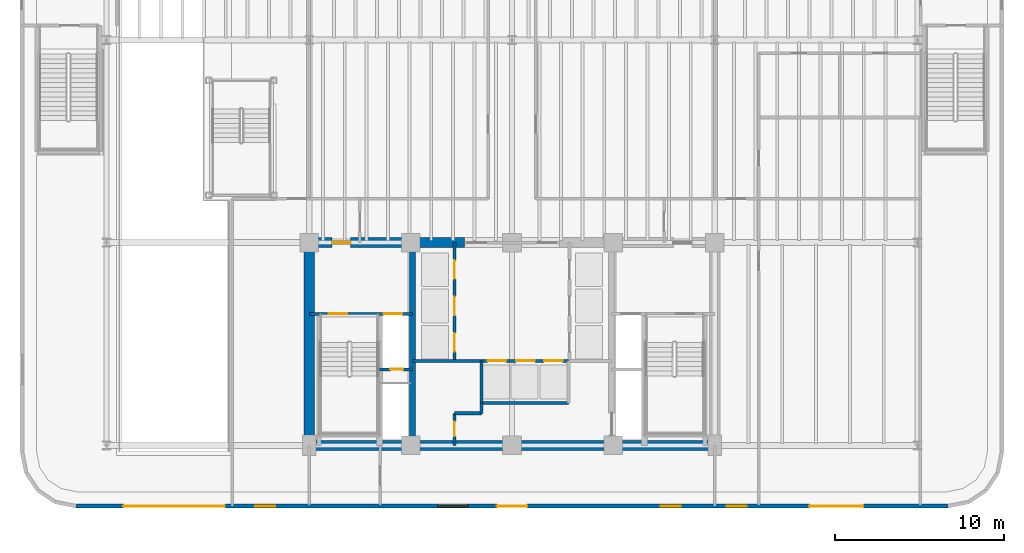
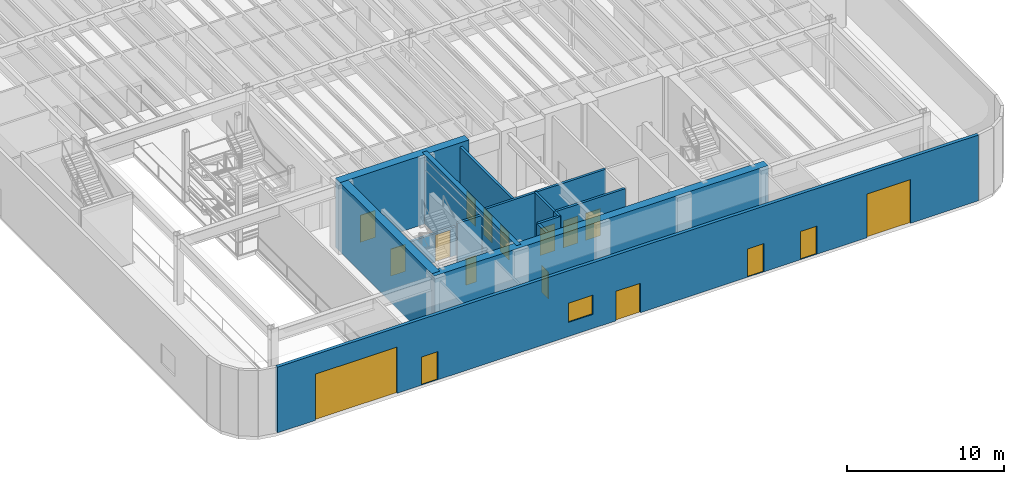
# One storey, part 7 of 17: 17 doors, 15 walls, 1 window, 18 openings.
"""IFC4 building model written with IfcOpenShell, lengths in metres."""

from ifc_helpers import new_model, si_unit, direction, frame, frame_2d, origin, origin_2d, place, context, subcontext, project, spatial, rectangle, extrude, source, transform, mapped, material, layer, layer_set, type_object, element, fill, save


model = new_model("IFC4")

# Units and contexts
model_context = context("Model", 3, precision=1e-05, world=origin(), true_north=direction((0.0, 1.0)))
body_context = subcontext(model_context, "Body", "Model", "MODEL_VIEW")
ifc_project = project(units=[si_unit("LENGTHUNIT", "METRE"), si_unit("AREAUNIT", "SQUARE_METRE"), si_unit("VOLUMEUNIT", "CUBIC_METRE"), si_unit("PLANEANGLEUNIT", "RADIAN"), si_unit("MASSUNIT", "GRAM", prefix="KILO")], contexts=[model_context])

# Site, building, storey
site_placement = place(None, origin())
site = spatial("IfcSite", under=ifc_project, at=site_placement, CompositionType="ELEMENT")
building_placement = place(site_placement, origin())
building = spatial("IfcBuilding", under=site, at=building_placement, Name="Brelvock Crest Care Tower", CompositionType="ELEMENT")
storey_placement = place(building_placement, origin())
storey = spatial("IfcBuildingStorey", under=building, at=storey_placement, Name="L00", CompositionType="ELEMENT", Elevation=0.0)

# Walls
ifc_material_1 = material(Name="Concrete S80 (80 MPa)", Category="concrete")
ifc_layer_1 = layer(ifc_material_1, 0.60009765625, Name="WL-CS1")
ifc_layer_set_1 = layer_set([ifc_layer_1], Name="Concrete S80 (80 MPa)")
wall_type_1 = type_object("IfcWallType", Name="WL-CS1", PredefinedType="SHEAR", material=ifc_layer_set_1)
wall_1_placement = place(storey_placement, frame((48.300048828125, 6.0, 0.0), z_axis=(0.0, 0.0, 1.0), x_axis=(-1.0, 0.0, 0.0)))
element("IfcWall", 1, at=wall_1_placement, inside=storey, type_object=wall_type_1, Name="L00 Core South Shear Wall", PredefinedType="SHEAR", context=body_context, shape_type="SweptSolid", body=[
    extrude(rectangle(XDim=24.60009765625, YDim=0.60009765625, at=frame_2d((12.300048828125, 0.0))), origin(), (0.0, 0.0, 1.0), 5.39990234375),
])
wall_2_placement = place(storey_placement, frame((24.0, 6.0, 0.0), z_axis=(0.0, 0.0, 1.0), x_axis=(0.0, 1.0, 0.0)))
element("IfcWall", 2, at=wall_2_placement, inside=storey, type_object=wall_type_1, Name="L00 Core West Shear Wall", PredefinedType="SHEAR", context=body_context, shape_type="SweptSolid", body=[
    extrude(rectangle(XDim=12.0, YDim=0.60009765625, at=frame_2d((6.0, 0.0))), origin(), (0.0, 0.0, 1.0), 5.39990234375),
])

# Wall, opening, door
wall_3_placement = place(storey_placement, frame((23.699951171875, 18.0, 0.0), z_axis=(0.0, 0.0, 1.0), x_axis=(1.0, 0.0, 0.0)))
wall_3 = element("IfcWall", 3, at=wall_3_placement, inside=storey, type_object=wall_type_1, Name="L00 Core North-West Shear Wall", PredefinedType="SHEAR", context=body_context, shape_type="SweptSolid", body=[
    extrude(rectangle(XDim=9.5, YDim=0.60009765625, at=frame_2d((4.75, 0.0))), origin(), (0.0, 0.0, 1.0), 5.39990234375),
])
opening_1_placement = place(wall_3_placement, frame((1.64990234375, 0.0, 0.0)))
opening_1 = element("IfcOpeningElement", 4, at=opening_1_placement, cuts=wall_3, Name="Opening FD-1", PredefinedType="OPENING", context=body_context, shape_type="SweptSolid", body=[
    extrude(rectangle(XDim=1.10009765625, YDim=2.10009765625, at=origin_2d()), frame((0.550048828125, 0.31005859375, 1.050048828125), z_axis=(0.0, -1.0, 0.0), x_axis=(1.0, 0.0, 0.0)), (0.0, 0.0, 1.0), 0.6201171875),
])
ifc_material_2 = material(Name="Steel Grade 350", Category="steel")
door_type_1 = type_object("IfcDoorType", Name="DR-FFL1", OperationType="NOTDEFINED", PredefinedType="DOOR", material=ifc_material_2)
shared_shape_1 = source(origin(), body_context, "Body", "SweptSolid", [
    extrude(rectangle(XDim=1.10009765625, YDim=2.10009765625, at=origin_2d()), frame((0.550048828125, 0.02490234375, 1.050048828125), z_axis=(0.0, -1.0, 0.0), x_axis=(1.0, 0.0, 0.0)), (0.0, 0.0, 1.0), 0.050048828125),
])
door_1_placement = place(opening_1_placement, origin())
door_1 = element("IfcDoor", 5, at=door_1_placement, inside=storey, type_object=door_type_1, Name="L00 Firefighting Lobby FFL-1 Exit Door", OperationType="SINGLE_SWING_LEFT", OverallHeight=2.10009765625, OverallWidth=1.10009765625, PredefinedType="DOOR", context=body_context, shape_type="MappedRepresentation", body=[
    mapped(shared_shape_1, transform((0.0, 0.0, 0.0), x_axis=(1.0, 0.0, 0.0), y_axis=(0.0, 1.0, 0.0), z_axis=(0.0, 0.0, 1.0), scale=1.0)),
])
fill(opening_1, door_1)

# Wall
ifc_layer_2 = layer(ifc_material_1, 0.35009765625, Name="WL-CS5")
ifc_layer_set_2 = layer_set([ifc_layer_2], Name="Concrete S80 (80 MPa)")
wall_type_2 = type_object("IfcWallType", Name="WL-CS5", PredefinedType="SHEAR", material=ifc_layer_set_2)
wall_4_placement = place(storey_placement, frame((30.10009765625, 6.0, 0.0), z_axis=(0.0, 0.0, 1.0), x_axis=(0.0, 1.0, 0.0)))
element("IfcWall", 6, at=wall_4_placement, inside=storey, type_object=wall_type_2, Name="L00 Core Internal Web Wall West", PredefinedType="SHEAR", context=body_context, shape_type="SweptSolid", body=[
    extrude(rectangle(XDim=12.0, YDim=0.35009765625, at=frame_2d((6.0, 0.0))), origin(), (0.0, 0.0, 1.0), 5.39990234375),
])

# Wall, openings, doors, window
ifc_material_3 = material(Name="Precast concrete N40 (40 MPa)", Category="concrete")
ifc_layer_3 = layer(ifc_material_3, 0.239990234375, Name="WL-EX1")
ifc_layer_set_3 = layer_set([ifc_layer_3], Name="Precast concrete N40 (40 MPa)")
wall_type_3 = type_object("IfcWallType", Name="WL-EX1", PredefinedType="SOLIDWALL", material=ifc_layer_set_3)
wall_5_placement = place(storey_placement, frame((61.800048828125, 2.39990234375, 0.0), z_axis=(0.0, 0.0, 1.0), x_axis=(-1.0, 0.0, 0.0)))
wall_5 = element("IfcWall", 7, at=wall_5_placement, inside=storey, type_object=wall_type_3, Name="L00 Exterior Spandrel Wall WL-EX-L00-SOUTH", PredefinedType="SOLIDWALL", context=body_context, shape_type="SweptSolid", body=[
    extrude(rectangle(XDim=51.60009765625, YDim=0.239990234375, at=frame_2d((25.800048828125, 0.0))), origin(), (0.0, 0.0, 1.0), 5.1201171875),
])
opening_2_placement = place(wall_5_placement, frame((5.0, 0.0, 0.0)))
opening_2 = element("IfcOpeningElement", 8, at=opening_2_placement, cuts=wall_5, Name="Opening GD-1", PredefinedType="OPENING", context=body_context, shape_type="SweptSolid", body=[
    extrude(rectangle(XDim=3.199951171875, YDim=3.39990234375, at=origin_2d()), frame((1.60009765625, 0.1298828125, 1.699951171875), z_axis=(0.0, -1.0, 0.0), x_axis=(1.0, 0.0, 0.0)), (0.0, 0.0, 1.0), 0.260009765625),
])
opening_3_placement = place(wall_5_placement, frame((11.89990234375, 0.0, 0.0)))
opening_3 = element("IfcOpeningElement", 9, at=opening_3_placement, cuts=wall_5, Name="Opening ED-2", PredefinedType="OPENING", context=body_context, shape_type="SweptSolid", body=[
    extrude(rectangle(XDim=1.199951171875, YDim=2.199951171875, at=origin_2d()), frame((0.60009765625, 0.1298828125, 1.10009765625), z_axis=(0.0, -1.0, 0.0), x_axis=(1.0, 0.0, 0.0)), (0.0, 0.0, 1.0), 0.260009765625),
])
opening_4_placement = place(wall_5_placement, frame((15.800048828125, 0.0, 0.0)))
opening_4 = element("IfcOpeningElement", 10, at=opening_4_placement, cuts=wall_5, Name="Opening ED-2", PredefinedType="OPENING", context=body_context, shape_type="SweptSolid", body=[
    extrude(rectangle(XDim=1.199951171875, YDim=2.199951171875, at=origin_2d()), frame((0.60009765625, 0.1298828125, 1.10009765625), z_axis=(0.0, -1.0, 0.0), x_axis=(1.0, 0.0, 0.0)), (0.0, 0.0, 1.0), 0.260009765625),
])
opening_5_placement = place(wall_5_placement, frame((24.89990234375, 0.0, 0.0)))
opening_5 = element("IfcOpeningElement", 11, at=opening_5_placement, cuts=wall_5, Name="Opening ED-1", PredefinedType="OPENING", context=body_context, shape_type="SweptSolid", body=[
    extrude(rectangle(XDim=1.800048828125, YDim=2.300048828125, at=origin_2d()), frame((0.89990234375, 0.1298828125, 1.14990234375), z_axis=(0.0, -1.0, 0.0), x_axis=(1.0, 0.0, 0.0)), (0.0, 0.0, 1.0), 0.260009765625),
])
opening_6_placement = place(wall_5_placement, frame((39.800048828125, 0.0, 0.0)))
opening_6 = element("IfcOpeningElement", 12, at=opening_6_placement, cuts=wall_5, Name="Opening ED-2", PredefinedType="OPENING", context=body_context, shape_type="SweptSolid", body=[
    extrude(rectangle(XDim=1.199951171875, YDim=2.199951171875, at=origin_2d()), frame((0.60009765625, 0.1298828125, 1.10009765625), z_axis=(0.0, -1.0, 0.0), x_axis=(1.0, 0.0, 0.0)), (0.0, 0.0, 1.0), 0.260009765625),
])
opening_7_placement = place(wall_5_placement, frame((42.800048828125, 0.0, 0.0)))
opening_7 = element("IfcOpeningElement", 13, at=opening_7_placement, cuts=wall_5, Name="Opening VD1", PredefinedType="OPENING", context=body_context, shape_type="SweptSolid", body=[
    extrude(rectangle(XDim=6.0, YDim=3.60009765625, at=origin_2d()), frame((3.0, 0.1298828125, 1.800048828125), z_axis=(0.0, -1.0, 0.0), x_axis=(1.0, 0.0, 0.0)), (0.0, 0.0, 1.0), 0.260009765625),
])
opening_8_placement = place(wall_5_placement, frame((28.39990234375, 0.0, 1.10009765625)))
opening_8 = element("IfcOpeningElement", 14, at=opening_8_placement, cuts=wall_5, Name="Opening W-02", PredefinedType="OPENING", context=body_context, shape_type="SweptSolid", body=[
    extrude(rectangle(XDim=1.800048828125, YDim=1.5, at=origin_2d()), frame((0.89990234375, 0.1298828125, 0.75), z_axis=(0.0, -1.0, 0.0), x_axis=(1.0, 0.0, 0.0)), (0.0, 0.0, 1.0), 0.260009765625),
])
ifc_material_4 = material(Name="Aluminium 6063-T6", Category="aluminium")
door_type_2 = type_object("IfcDoorType", Name="DR-EX2", OperationType="NOTDEFINED", PredefinedType="DOOR", material=ifc_material_4)
shared_shape_2 = source(origin(), body_context, "Body", "SweptSolid", [
    extrude(rectangle(XDim=1.199951171875, YDim=2.199951171875, at=origin_2d()), frame((0.60009765625, 0.02490234375, 1.10009765625), z_axis=(0.0, -1.0, 0.0), x_axis=(1.0, 0.0, 0.0)), (0.0, 0.0, 1.0), 0.050048828125),
])
door_2_placement = place(opening_3_placement, origin())
door_2 = element("IfcDoor", 15, at=door_2_placement, inside=storey, type_object=door_type_2, Name="L00 East Concourse Street Final Exit E3B", OperationType="SINGLE_SWING_LEFT", OverallHeight=2.199951171875, OverallWidth=1.199951171875, PredefinedType="DOOR", context=body_context, shape_type="MappedRepresentation", body=[
    mapped(shared_shape_2, transform((0.0, 0.0, 0.0), x_axis=(1.0, 0.0, 0.0), y_axis=(0.0, 1.0, 0.0), z_axis=(0.0, 0.0, 1.0), scale=1.0)),
])
fill(opening_3, door_2)
door_3_placement = place(opening_4_placement, origin())
door_3 = element("IfcDoor", 16, at=door_3_placement, inside=storey, type_object=door_type_2, Name="L00 Stair ST-2 Street Final Exit E2", OperationType="SINGLE_SWING_RIGHT", OverallHeight=2.199951171875, OverallWidth=1.199951171875, PredefinedType="DOOR", context=body_context, shape_type="MappedRepresentation", body=[
    mapped(shared_shape_2, transform((0.0, 0.0, 0.0), x_axis=(1.0, 0.0, 0.0), y_axis=(0.0, 1.0, 0.0), z_axis=(0.0, 0.0, 1.0), scale=1.0)),
])
fill(opening_4, door_3)
door_4_placement = place(opening_6_placement, origin())
door_4 = element("IfcDoor", 17, at=door_4_placement, inside=storey, type_object=door_type_2, Name="L00 Stair ST-1 Street Final Exit E1", OperationType="SINGLE_SWING_LEFT", OverallHeight=2.199951171875, OverallWidth=1.199951171875, PredefinedType="DOOR", context=body_context, shape_type="MappedRepresentation", body=[
    mapped(shared_shape_2, transform((0.0, 0.0, 0.0), x_axis=(1.0, 0.0, 0.0), y_axis=(0.0, 1.0, 0.0), z_axis=(0.0, 0.0, 1.0), scale=1.0)),
])
fill(opening_6, door_4)
ifc_material_5 = material(Name="Dark Glass Double Glazed Low-E", Category="glass")
window_type = type_object("IfcWindowType", Name="WN-EX2", PartitioningType="SINGLE_PANEL", PredefinedType="WINDOW", material=ifc_material_5)
shared_shape_3 = source(origin(), body_context, "Body", "SweptSolid", [
    extrude(rectangle(XDim=1.800048828125, YDim=1.5, at=origin_2d()), frame((0.89990234375, 0.030029296875, 0.75), z_axis=(0.0, -1.0, 0.0), x_axis=(1.0, 0.0, 0.0)), (0.0, 0.0, 1.0), 0.06005859375),
])
window_placement = place(opening_8_placement, origin())
window = element("IfcWindow", 18, at=window_placement, inside=storey, type_object=window_type, Name="WN-L00-S1", OverallHeight=1.5, OverallWidth=1.800048828125, PartitioningType="SINGLE_PANEL", PredefinedType="WINDOW", context=body_context, shape_type="MappedRepresentation", body=[
    mapped(shared_shape_3, transform((0.0, 0.0, 0.0), x_axis=(1.0, 0.0, 0.0), y_axis=(0.0, 1.0, 0.0), z_axis=(0.0, 0.0, 1.0), scale=1.0)),
])
fill(opening_8, window)
door_type_3 = type_object("IfcDoorType", Name="DR-EX1", OperationType="NOTDEFINED", PredefinedType="DOOR", material=ifc_material_5)
shared_shape_4 = source(origin(), body_context, "Body", "SweptSolid", [
    extrude(rectangle(XDim=1.800048828125, YDim=2.300048828125, at=origin_2d()), frame((0.89990234375, 0.02490234375, 1.14990234375), z_axis=(0.0, -1.0, 0.0), x_axis=(1.0, 0.0, 0.0)), (0.0, 0.0, 1.0), 0.050048828125),
])
door_5_placement = place(opening_5_placement, origin())
door_5 = element("IfcDoor", 19, at=door_5_placement, inside=storey, type_object=door_type_3, Name="L00 Main Lobby Street Entrance E3", OperationType="SINGLE_SWING_LEFT", OverallHeight=2.300048828125, OverallWidth=1.800048828125, PredefinedType="DOOR", context=body_context, shape_type="MappedRepresentation", body=[
    mapped(shared_shape_4, transform((0.0, 0.0, 0.0), x_axis=(1.0, 0.0, 0.0), y_axis=(0.0, 1.0, 0.0), z_axis=(0.0, 0.0, 1.0), scale=1.0)),
])
fill(opening_5, door_5)
door_type_4 = type_object("IfcDoorType", Name="DR-LDK1", OperationType="NOTDEFINED", PredefinedType="GATE", material=ifc_material_4)
shared_shape_5 = source(origin(), body_context, "Body", "SweptSolid", [
    extrude(rectangle(XDim=3.199951171875, YDim=3.39990234375, at=origin_2d()), frame((1.60009765625, 0.02490234375, 1.699951171875), z_axis=(0.0, -1.0, 0.0), x_axis=(1.0, 0.0, 0.0)), (0.0, 0.0, 1.0), 0.050048828125),
])
door_6_placement = place(opening_2_placement, origin())
door_6 = element("IfcDoor", 20, at=door_6_placement, inside=storey, type_object=door_type_4, Name="L00 Loading Dock Roller Gate GD-1", OperationType="ROLLINGUP", OverallHeight=3.39990234375, OverallWidth=3.199951171875, PredefinedType="GATE", context=body_context, shape_type="MappedRepresentation", body=[
    mapped(shared_shape_5, transform((0.0, 0.0, 0.0), x_axis=(1.0, 0.0, 0.0), y_axis=(0.0, 1.0, 0.0), z_axis=(0.0, 0.0, 1.0), scale=1.0)),
])
fill(opening_2, door_6)
door_type_5 = type_object("IfcDoorType", Name="DR-VD1", OperationType="NOTDEFINED", PredefinedType="GATE", material=ifc_material_4)
shared_shape_6 = source(origin(), body_context, "Body", "SweptSolid", [
    extrude(rectangle(XDim=6.0, YDim=3.60009765625, at=origin_2d()), frame((3.0, 0.02490234375, 1.800048828125), z_axis=(0.0, -1.0, 0.0), x_axis=(1.0, 0.0, 0.0)), (0.0, 0.0, 1.0), 0.050048828125),
])
door_7_placement = place(opening_7_placement, origin())
door_7 = element("IfcDoor", 21, at=door_7_placement, inside=storey, type_object=door_type_5, Name="L00 Car Park Roller Shutter Gate VD1", OperationType="ROLLINGUP", OverallHeight=3.60009765625, OverallWidth=6.0, PredefinedType="GATE", context=body_context, shape_type="MappedRepresentation", body=[
    mapped(shared_shape_6, transform((0.0, 0.0, 0.0), x_axis=(1.0, 0.0, 0.0), y_axis=(0.0, 1.0, 0.0), z_axis=(0.0, 0.0, 1.0), scale=1.0)),
])
fill(opening_7, door_7)

# Walls
ifc_material_6 = material(Name="Masonry Blockwork Acoustic Partition", Category="masonry")
ifc_layer_4 = layer(ifc_material_6, 0.179931640625, Name="WL-SHF1")
ifc_layer_set_4 = layer_set([ifc_layer_4], Name="Masonry Blockwork Acoustic Partition")
wall_type_4 = type_object("IfcWallType", Name="WL-SHF1", PredefinedType="PARTITIONING", material=ifc_layer_set_4)
wall_6_placement = place(storey_placement, frame((34.199951171875, 8.5, 0.0), z_axis=(0.0, 0.0, 1.0), x_axis=(1.0, 0.0, 0.0)))
element("IfcWall", 22, at=wall_6_placement, inside=storey, type_object=wall_type_4, Name="L00 Interior Wall WL-PLM-S-L00", PredefinedType="PARTITIONING", context=body_context, shape_type="SweptSolid", body=[
    extrude(rectangle(XDim=5.150146484375, YDim=0.179931640625, at=frame_2d((2.5751953125, 0.0))), origin(), (0.0, 0.0, 1.0), 5.090087890625),
])
wall_7_placement = place(storey_placement, frame((34.199951171875, 8.5, 0.0), z_axis=(0.0, 0.0, 1.0), x_axis=(0.0, 1.0, 0.0)))
element("IfcWall", 23, at=wall_7_placement, inside=storey, type_object=wall_type_4, Name="L00 Interior Wall WL-PLM-W-L00", PredefinedType="PARTITIONING", context=body_context, shape_type="SweptSolid", body=[
    extrude(rectangle(XDim=2.5, YDim=0.179931640625, at=frame_2d((1.25, 0.0))), origin(), (0.0, 0.0, 1.0), 5.090087890625),
])
wall_8_placement = place(storey_placement, frame((30.10009765625, 10.97998046875, 0.0), z_axis=(0.0, 0.0, 1.0), x_axis=(1.0, 0.0, 0.0)))
element("IfcWall", 24, at=wall_8_placement, inside=storey, type_object=wall_type_4, Name="L00 Interior Wall WL-CSBW-N-L00", PredefinedType="PARTITIONING", context=body_context, shape_type="SweptSolid", body=[
    extrude(rectangle(XDim=4.079833984375, YDim=0.179931640625, at=frame_2d((2.0400390625, 0.0))), origin(), (0.0, 0.0, 1.0), 5.090087890625),
])
wall_9_placement = place(storey_placement, frame((34.199951171875, 7.89990234375, 0.0), z_axis=(0.0, 0.0, 1.0), x_axis=(0.0, 1.0, 0.0)))
element("IfcWall", 25, at=wall_9_placement, inside=storey, type_object=wall_type_4, Name="L00 Interior Wall WL-CSBW-E2-L00", PredefinedType="PARTITIONING", context=body_context, shape_type="SweptSolid", body=[
    extrude(rectangle(XDim=0.60009765625, YDim=0.179931640625, at=frame_2d((0.300048828125, 0.0))), origin(), (0.0, 0.0, 1.0), 5.090087890625),
])
wall_10_placement = place(storey_placement, frame((32.60009765625, 7.89990234375, 0.0), z_axis=(0.0, 0.0, 1.0), x_axis=(1.0, 0.0, 0.0)))
element("IfcWall", 26, at=wall_10_placement, inside=storey, type_object=wall_type_4, Name="L00 Interior Wall WL-CSBW-S2-L00", PredefinedType="PARTITIONING", context=body_context, shape_type="SweptSolid", body=[
    extrude(rectangle(XDim=1.599853515625, YDim=0.179931640625, at=frame_2d((0.7998046875, 0.0))), origin(), (0.0, 0.0, 1.0), 5.090087890625),
])

# Wall, opening, door
wall_11_placement = place(storey_placement, frame((32.60009765625, 6.0, 0.0), z_axis=(0.0, 0.0, 1.0), x_axis=(0.0, 1.0, 0.0)))
wall_11 = element("IfcWall", 27, at=wall_11_placement, inside=storey, type_object=wall_type_4, Name="L00 Interior Wall WL-CSBW-E1-L00", PredefinedType="PARTITIONING", context=body_context, shape_type="SweptSolid", body=[
    extrude(rectangle(XDim=1.89990234375, YDim=0.179931640625, at=frame_2d((0.949951171875, 0.0))), origin(), (0.0, 0.0, 1.0), 5.090087890625),
])
opening_9_placement = place(wall_11_placement, frame((0.550048828125, 0.0, 0.0)))
opening_9 = element("IfcOpeningElement", 28, at=opening_9_placement, cuts=wall_11, Name="Opening ID-1", PredefinedType="OPENING", context=body_context, shape_type="SweptSolid", body=[
    extrude(rectangle(XDim=0.860107421875, YDim=2.10009765625, at=origin_2d()), frame((0.43017578125, 0.10009765625, 1.050048828125), z_axis=(0.0, -1.0, 0.0), x_axis=(1.0, 0.0, 0.0)), (0.0, 0.0, 1.0), 0.199951171875),
])
ifc_material_7 = material(Name="Engineered Hardwood Timber", Category="wood")
door_type_6 = type_object("IfcDoorType", Name="DR-INT1", OperationType="NOTDEFINED", PredefinedType="DOOR", material=ifc_material_7)
shared_shape_7 = source(origin(), body_context, "Body", "SweptSolid", [
    extrude(rectangle(XDim=0.860107421875, YDim=2.10009765625, at=origin_2d()), frame((0.43017578125, 0.02490234375, 1.050048828125), z_axis=(0.0, -1.0, 0.0), x_axis=(1.0, 0.0, 0.0)), (0.0, 0.0, 1.0), 0.050048828125),
])
door_8_placement = place(opening_9_placement, origin())
door_8 = element("IfcDoor", 29, at=door_8_placement, inside=storey, type_object=door_type_6, Name="DR-CSBW-L00", OperationType="SINGLE_SWING_LEFT", OverallHeight=2.10009765625, OverallWidth=0.860107421875, PredefinedType="DOOR", context=body_context, shape_type="MappedRepresentation", body=[
    mapped(shared_shape_7, transform((0.0, 0.0, 0.0), x_axis=(1.0, 0.0, 0.0), y_axis=(0.0, 1.0, 0.0), z_axis=(0.0, 0.0, 1.0), scale=1.0)),
])
fill(opening_9, door_8)

# Wall, openings, doors
wall_12_placement = place(storey_placement, frame((24.0, 13.780029296875, 0.0), z_axis=(0.0, 0.0, 1.0), x_axis=(1.0, 0.0, 0.0)))
wall_12 = element("IfcWall", 30, at=wall_12_placement, inside=storey, type_object=wall_type_4, Name="L00 Interior Wall WL-ST1-N-L00", PredefinedType="PARTITIONING", context=body_context, shape_type="SweptSolid", body=[
    extrude(rectangle(XDim=6.10009765625, YDim=0.179931640625, at=frame_2d((3.050048828125, 0.0))), origin(), (0.0, 0.0, 1.0), 2.22900390625),
])
opening_10_placement = place(wall_12_placement, frame((1.14990234375, 0.0, 0.0)))
opening_10 = element("IfcOpeningElement", 31, at=opening_10_placement, cuts=wall_12, Name="Opening SD-1", PredefinedType="OPENING", context=body_context, shape_type="SweptSolid", body=[
    extrude(rectangle(XDim=1.10009765625, YDim=2.10009765625, at=origin_2d()), frame((0.550048828125, 0.10009765625, 1.050048828125), z_axis=(0.0, -1.0, 0.0), x_axis=(1.0, 0.0, 0.0)), (0.0, 0.0, 1.0), 0.199951171875),
])
opening_11_placement = place(wall_12_placement, frame((4.39990234375, 0.0, 0.0)))
opening_11 = element("IfcOpeningElement", 32, at=opening_11_placement, cuts=wall_12, Name="Opening LD", PredefinedType="OPENING", context=body_context, shape_type="SweptSolid", body=[
    extrude(rectangle(XDim=1.10009765625, YDim=2.10009765625, at=origin_2d()), frame((0.550048828125, 0.10009765625, 1.050048828125), z_axis=(0.0, -1.0, 0.0), x_axis=(1.0, 0.0, 0.0)), (0.0, 0.0, 1.0), 0.199951171875),
])
door_type_7 = type_object("IfcDoorType", Name="DR-ST1", OperationType="NOTDEFINED", PredefinedType="DOOR", material=ifc_material_2)
shared_shape_8 = source(origin(), body_context, "Body", "SweptSolid", [
    extrude(rectangle(XDim=1.10009765625, YDim=2.10009765625, at=origin_2d()), frame((0.550048828125, 0.02490234375, 1.050048828125), z_axis=(0.0, -1.0, 0.0), x_axis=(1.0, 0.0, 0.0)), (0.0, 0.0, 1.0), 0.050048828125),
])
door_9_placement = place(opening_10_placement, origin())
door_9 = element("IfcDoor", 33, at=door_9_placement, inside=storey, type_object=door_type_7, Name="L00 Fire Stair ST-1 Door", OperationType="SINGLE_SWING_RIGHT", OverallHeight=2.10009765625, OverallWidth=1.10009765625, PredefinedType="DOOR", context=body_context, shape_type="MappedRepresentation", body=[
    mapped(shared_shape_8, transform((0.0, 0.0, 0.0), x_axis=(1.0, 0.0, 0.0), y_axis=(0.0, 1.0, 0.0), z_axis=(0.0, 0.0, 1.0), scale=1.0)),
])
fill(opening_10, door_9)
door_type_8 = type_object("IfcDoorType", Name="DR-LD1", OperationType="NOTDEFINED", PredefinedType="DOOR", material=ifc_material_2)
shared_shape_9 = source(origin(), body_context, "Body", "SweptSolid", [
    extrude(rectangle(XDim=1.10009765625, YDim=2.10009765625, at=origin_2d()), frame((0.550048828125, 0.02490234375, 1.050048828125), z_axis=(0.0, -1.0, 0.0), x_axis=(1.0, 0.0, 0.0)), (0.0, 0.0, 1.0), 0.050048828125),
])
door_10_placement = place(opening_11_placement, origin())
door_10 = element("IfcDoor", 34, at=door_10_placement, inside=storey, type_object=door_type_8, Name="L00 Firefighting Lift FFL-1 Landing Door", OperationType="SLIDING_TO_LEFT", OverallHeight=2.10009765625, OverallWidth=1.10009765625, PredefinedType="DOOR", context=body_context, shape_type="MappedRepresentation", body=[
    mapped(shared_shape_9, transform((0.0, 0.0, 0.0), x_axis=(1.0, 0.0, 0.0), y_axis=(0.0, 1.0, 0.0), z_axis=(0.0, 0.0, 1.0), scale=1.0)),
])
fill(opening_11, door_10)

# Wall, opening, door
wall_13_placement = place(storey_placement, frame((28.14990234375, 10.5, 0.0), z_axis=(0.0, 0.0, 1.0), x_axis=(1.0, 0.0, 0.0)))
wall_13 = element("IfcWall", 35, at=wall_13_placement, inside=storey, type_object=wall_type_4, Name="L00 Interior Wall WL-FFH1-S-L00", PredefinedType="PARTITIONING", context=body_context, shape_type="SweptSolid", body=[
    extrude(rectangle(XDim=1.9501953125, YDim=0.179931640625, at=frame_2d((0.97509765625, 0.0))), origin(), (0.0, 0.0, 1.0), 5.090087890625),
])
opening_12_placement = place(wall_13_placement, frame((0.64990234375, 0.0, 0.0)))
opening_12 = element("IfcOpeningElement", 36, at=opening_12_placement, cuts=wall_13, Name="Opening RD-1", PredefinedType="OPENING", context=body_context, shape_type="SweptSolid", body=[
    extrude(rectangle(XDim=0.760009765625, YDim=2.050048828125, at=origin_2d()), frame((0.3798828125, 0.10009765625, 1.02490234375), z_axis=(0.0, -1.0, 0.0), x_axis=(1.0, 0.0, 0.0)), (0.0, 0.0, 1.0), 0.199951171875),
])
door_type_9 = type_object("IfcDoorType", Name="DR-RIS1", OperationType="NOTDEFINED", PredefinedType="DOOR", material=ifc_material_2)
shared_shape_10 = source(origin(), body_context, "Body", "SweptSolid", [
    extrude(rectangle(XDim=0.760009765625, YDim=2.050048828125, at=origin_2d()), frame((0.3798828125, 0.02490234375, 1.02490234375), z_axis=(0.0, -1.0, 0.0), x_axis=(1.0, 0.0, 0.0)), (0.0, 0.0, 1.0), 0.050048828125),
])
door_11_placement = place(opening_12_placement, origin())
door_11 = element("IfcDoor", 37, at=door_11_placement, inside=storey, type_object=door_type_9, Name="L00 Wet Fire Riser Access Door", OperationType="SINGLE_SWING_LEFT", OverallHeight=2.050048828125, OverallWidth=0.760009765625, PredefinedType="DOOR", context=body_context, shape_type="MappedRepresentation", body=[
    mapped(shared_shape_10, transform((0.0, 0.0, 0.0), x_axis=(1.0, 0.0, 0.0), y_axis=(0.0, 1.0, 0.0), z_axis=(0.0, 0.0, 1.0), scale=1.0)),
])
fill(opening_12, door_11)

# Wall, openings, doors
wall_14_placement = place(storey_placement, frame((32.60009765625, 11.0, 0.0), z_axis=(0.0, 0.0, 1.0), x_axis=(0.0, 1.0, 0.0)))
wall_14 = element("IfcWall", 38, at=wall_14_placement, inside=storey, type_object=wall_type_4, Name="L00 Interior Wall WL-PLL-BANK-L00", PredefinedType="PARTITIONING", context=body_context, shape_type="SweptSolid", body=[
    extrude(rectangle(XDim=7.0, YDim=0.179931640625, at=frame_2d((3.5, 0.0))), origin(), (0.0, 0.0, 1.0), 5.090087890625),
])
opening_13_placement = place(wall_14_placement, frame((0.550048828125, 0.0, 0.0)))
opening_13 = element("IfcOpeningElement", 39, at=opening_13_placement, cuts=wall_14, Name="Opening LD", PredefinedType="OPENING", context=body_context, shape_type="SweptSolid", body=[
    extrude(rectangle(XDim=1.10009765625, YDim=2.10009765625, at=origin_2d()), frame((0.550048828125, 0.10009765625, 1.050048828125), z_axis=(0.0, -1.0, 0.0), x_axis=(1.0, 0.0, 0.0)), (0.0, 0.0, 1.0), 0.199951171875),
])
opening_14_placement = place(wall_14_placement, frame((2.699951171875, 0.0, 0.0)))
opening_14 = element("IfcOpeningElement", 40, at=opening_14_placement, cuts=wall_14, Name="Opening LD", PredefinedType="OPENING", context=body_context, shape_type="SweptSolid", body=[
    extrude(rectangle(XDim=1.10009765625, YDim=2.10009765625, at=origin_2d()), frame((0.550048828125, 0.10009765625, 1.050048828125), z_axis=(0.0, -1.0, 0.0), x_axis=(1.0, 0.0, 0.0)), (0.0, 0.0, 1.0), 0.199951171875),
])
opening_15_placement = place(wall_14_placement, frame((4.85009765625, 0.0, 0.0)))
opening_15 = element("IfcOpeningElement", 41, at=opening_15_placement, cuts=wall_14, Name="Opening LD", PredefinedType="OPENING", context=body_context, shape_type="SweptSolid", body=[
    extrude(rectangle(XDim=1.10009765625, YDim=2.10009765625, at=origin_2d()), frame((0.550048828125, 0.10009765625, 1.050048828125), z_axis=(0.0, -1.0, 0.0), x_axis=(1.0, 0.0, 0.0)), (0.0, 0.0, 1.0), 0.199951171875),
])
door_12_placement = place(opening_13_placement, origin())
door_12 = element("IfcDoor", 42, at=door_12_placement, inside=storey, type_object=door_type_8, Name="L00 Lift PL-L1 Landing Door", OperationType="SLIDING_TO_LEFT", OverallHeight=2.10009765625, OverallWidth=1.10009765625, PredefinedType="DOOR", context=body_context, shape_type="MappedRepresentation", body=[
    mapped(shared_shape_9, transform((0.0, 0.0, 0.0), x_axis=(1.0, 0.0, 0.0), y_axis=(0.0, 1.0, 0.0), z_axis=(0.0, 0.0, 1.0), scale=1.0)),
])
fill(opening_13, door_12)
door_13_placement = place(opening_14_placement, origin())
door_13 = element("IfcDoor", 43, at=door_13_placement, inside=storey, type_object=door_type_8, Name="L00 Lift PL-L2 Landing Door", OperationType="SLIDING_TO_LEFT", OverallHeight=2.10009765625, OverallWidth=1.10009765625, PredefinedType="DOOR", context=body_context, shape_type="MappedRepresentation", body=[
    mapped(shared_shape_9, transform((0.0, 0.0, 0.0), x_axis=(1.0, 0.0, 0.0), y_axis=(0.0, 1.0, 0.0), z_axis=(0.0, 0.0, 1.0), scale=1.0)),
])
fill(opening_14, door_13)
door_14_placement = place(opening_15_placement, origin())
door_14 = element("IfcDoor", 44, at=door_14_placement, inside=storey, type_object=door_type_8, Name="L00 Lift PL-L3 Landing Door", OperationType="SLIDING_TO_LEFT", OverallHeight=2.10009765625, OverallWidth=1.10009765625, PredefinedType="DOOR", context=body_context, shape_type="MappedRepresentation", body=[
    mapped(shared_shape_9, transform((0.0, 0.0, 0.0), x_axis=(1.0, 0.0, 0.0), y_axis=(0.0, 1.0, 0.0), z_axis=(0.0, 0.0, 1.0), scale=1.0)),
])
fill(opening_15, door_14)

wall_15_placement = place(storey_placement, frame((34.199951171875, 11.0, 0.0), z_axis=(0.0, 0.0, 1.0), x_axis=(1.0, 0.0, 0.0)))
wall_15 = element("IfcWall", 45, at=wall_15_placement, inside=storey, type_object=wall_type_4, Name="L00 Interior Wall WL-PLM-BANK-L00", PredefinedType="PARTITIONING", context=body_context, shape_type="SweptSolid", body=[
    extrude(rectangle(XDim=5.150146484375, YDim=0.179931640625, at=frame_2d((2.5751953125, 0.0))), origin(), (0.0, 0.0, 1.0), 5.090087890625),
])
opening_16_placement = place(wall_15_placement, frame((0.35009765625, 0.0, 0.0)))
opening_16 = element("IfcOpeningElement", 46, at=opening_16_placement, cuts=wall_15, Name="Opening LD", PredefinedType="OPENING", context=body_context, shape_type="SweptSolid", body=[
    extrude(rectangle(XDim=1.10009765625, YDim=2.10009765625, at=origin_2d()), frame((0.550048828125, 0.10009765625, 1.050048828125), z_axis=(0.0, -1.0, 0.0), x_axis=(1.0, 0.0, 0.0)), (0.0, 0.0, 1.0), 0.199951171875),
])
opening_17_placement = place(wall_15_placement, frame((2.050048828125, 0.0, 0.0)))
opening_17 = element("IfcOpeningElement", 47, at=opening_17_placement, cuts=wall_15, Name="Opening LD", PredefinedType="OPENING", context=body_context, shape_type="SweptSolid", body=[
    extrude(rectangle(XDim=1.10009765625, YDim=2.10009765625, at=origin_2d()), frame((0.550048828125, 0.10009765625, 1.050048828125), z_axis=(0.0, -1.0, 0.0), x_axis=(1.0, 0.0, 0.0)), (0.0, 0.0, 1.0), 0.199951171875),
])
opening_18_placement = place(wall_15_placement, frame((3.699951171875, 0.0, 0.0)))
opening_18 = element("IfcOpeningElement", 48, at=opening_18_placement, cuts=wall_15, Name="Opening LD", PredefinedType="OPENING", context=body_context, shape_type="SweptSolid", body=[
    extrude(rectangle(XDim=1.10009765625, YDim=2.10009765625, at=origin_2d()), frame((0.550048828125, 0.10009765625, 1.050048828125), z_axis=(0.0, -1.0, 0.0), x_axis=(1.0, 0.0, 0.0)), (0.0, 0.0, 1.0), 0.199951171875),
])
door_15_placement = place(opening_16_placement, origin())
door_15 = element("IfcDoor", 49, at=door_15_placement, inside=storey, type_object=door_type_8, Name="L00 Lift PL-M1 Landing Door", OperationType="SLIDING_TO_LEFT", OverallHeight=2.10009765625, OverallWidth=1.10009765625, PredefinedType="DOOR", context=body_context, shape_type="MappedRepresentation", body=[
    mapped(shared_shape_9, transform((0.0, 0.0, 0.0), x_axis=(1.0, 0.0, 0.0), y_axis=(0.0, 1.0, 0.0), z_axis=(0.0, 0.0, 1.0), scale=1.0)),
])
fill(opening_16, door_15)
door_16_placement = place(opening_17_placement, origin())
door_16 = element("IfcDoor", 50, at=door_16_placement, inside=storey, type_object=door_type_8, Name="L00 Lift PL-M2 Landing Door", OperationType="SLIDING_TO_LEFT", OverallHeight=2.10009765625, OverallWidth=1.10009765625, PredefinedType="DOOR", context=body_context, shape_type="MappedRepresentation", body=[
    mapped(shared_shape_9, transform((0.0, 0.0, 0.0), x_axis=(1.0, 0.0, 0.0), y_axis=(0.0, 1.0, 0.0), z_axis=(0.0, 0.0, 1.0), scale=1.0)),
])
fill(opening_17, door_16)
door_17_placement = place(opening_18_placement, origin())
door_17 = element("IfcDoor", 51, at=door_17_placement, inside=storey, type_object=door_type_8, Name="L00 Lift PL-M3 Landing Door", OperationType="SLIDING_TO_LEFT", OverallHeight=2.10009765625, OverallWidth=1.10009765625, PredefinedType="DOOR", context=body_context, shape_type="MappedRepresentation", body=[
    mapped(shared_shape_9, transform((0.0, 0.0, 0.0), x_axis=(1.0, 0.0, 0.0), y_axis=(0.0, 1.0, 0.0), z_axis=(0.0, 0.0, 1.0), scale=1.0)),
])
fill(opening_18, door_17)

save(model, "model.ifc")
